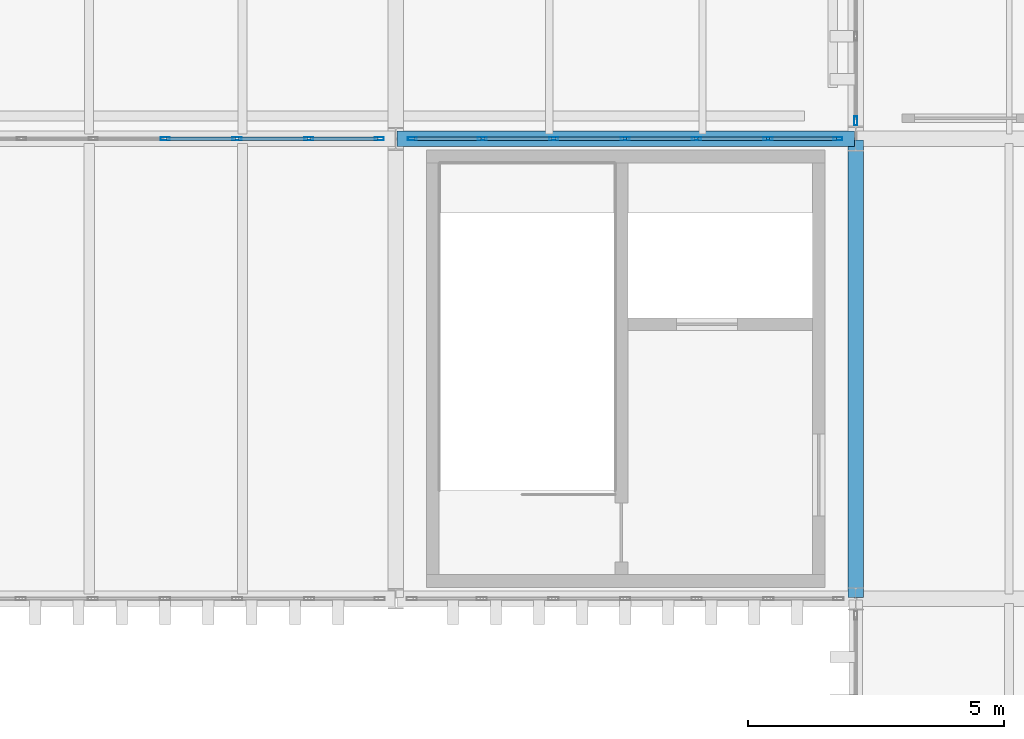
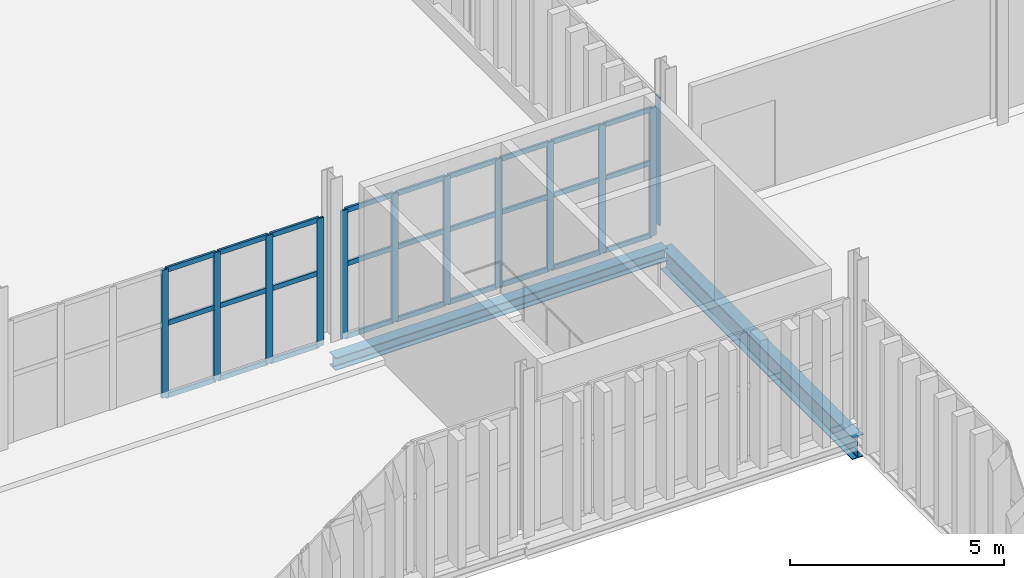
# One storey, part 44 of 196: 39 members, 2 beams, 3 elements without a shape of their own.
"""IFC4 building model written with IfcOpenShell, lengths in metres."""

from ifc_helpers import new_model, si_unit, direction, frame, origin, origin_2d, place, context, subcontext, project, spatial, hollow_rectangle, i_section, extrude, material, layer, layer_set, material_profile, profile_set, type_object, element, aggregate, save


model = new_model("IFC4")

# Units and contexts
model_context = context("Model", 3, precision=1e-05, world=origin(), true_north=direction((0.0, 1.0)))
body_context = subcontext(model_context, "Body", "Model", "MODEL_VIEW")
ifc_project = project(units=[si_unit("LENGTHUNIT", "METRE"), si_unit("AREAUNIT", "SQUARE_METRE"), si_unit("VOLUMEUNIT", "CUBIC_METRE"), si_unit("PLANEANGLEUNIT", "RADIAN"), si_unit("MASSUNIT", "GRAM", prefix="KILO")], contexts=[model_context])

# Site, building, storey
site_placement = place(None, origin())
site = spatial("IfcSite", under=ifc_project, at=site_placement, CompositionType="ELEMENT")
building_placement = place(site_placement, origin())
building = spatial("IfcBuilding", under=site, at=building_placement, Name="Barlavento Convention Centre", CompositionType="ELEMENT")
storey_placement = place(building_placement, frame((0.0, 0.0, 18.0)))
storey = spatial("IfcBuildingStorey", under=building, at=storey_placement, Name="L03", CompositionType="ELEMENT", Elevation=18.0)

# Curtain wall, members
ifc_material_1 = material(Name="Powder-coated aluminium and Low-E glass", Category="aluminium")
ifc_layer = layer(ifc_material_1, 0.179931640625)
ifc_layer_set = layer_set([ifc_layer], Name="ARC-CW-CONF-L03")
curtain_wall_type = type_object("IfcCurtainWallType", Name="ARC-CW-CONF-L03", PredefinedType="NOTDEFINED", material=ifc_layer_set)
curtain_wall_1_placement = place(storey_placement, origin())
curtain_wall_1 = element("IfcCurtainWall", 1, at=curtain_wall_1_placement, inside=storey, type_object=curtain_wall_type, Name="L03 unitised curtain wall CW08", PredefinedType="NOTDEFINED")
ifc_material_2 = material(Name="Powder-coated aluminium", Category="aluminium")
ifc_material_profile_1 = material_profile(ifc_material_2, hollow_rectangle(XDim=0.06005859375, YDim=0.179931640625, WallThickness=0.0048828125, at=origin_2d()), Name="AL-MULL 60x180x5")
ifc_profile_set_1 = profile_set([ifc_material_profile_1], Name="Powder-coated aluminium")
member_type_1 = type_object("IfcMemberType", Name="ARC-CWM-60X180", PredefinedType="MULLION", material=ifc_profile_set_1)
member_1_placement = place(storey_placement, frame((112.487548828125, 54.0, 0.0), z_axis=(0.0, 0.0, 1.0), x_axis=(0.0, 1.0, 0.0)))
member_1 = element("IfcMember", 2, at=member_1_placement, type_object=member_type_1, Name="CW08 mullion 4", PredefinedType="MULLION", context=body_context, shape_type="SweptSolid", body=[
    extrude(hollow_rectangle(XDim=0.06005859375, YDim=0.179931640625, WallThickness=0.0048828125, at=origin_2d()), origin(), (0.0, 0.0, 1.0), 3.64990234375),
])
member_2_placement = place(storey_placement, frame((113.893310546875, 54.0, 0.0), z_axis=(0.0, 0.0, 1.0), x_axis=(0.0, 1.0, 0.0)))
member_2 = element("IfcMember", 3, at=member_2_placement, type_object=member_type_1, Name="CW08 mullion 5", PredefinedType="MULLION", context=body_context, shape_type="SweptSolid", body=[
    extrude(hollow_rectangle(XDim=0.06005859375, YDim=0.179931640625, WallThickness=0.0048828125, at=origin_2d()), origin(), (0.0, 0.0, 1.0), 3.64990234375),
])
member_3_placement = place(storey_placement, frame((115.299072265625, 54.0, 0.0), z_axis=(0.0, 0.0, 1.0), x_axis=(0.0, 1.0, 0.0)))
member_3 = element("IfcMember", 4, at=member_3_placement, type_object=member_type_1, Name="CW08 mullion 6", PredefinedType="MULLION", context=body_context, shape_type="SweptSolid", body=[
    extrude(hollow_rectangle(XDim=0.06005859375, YDim=0.179931640625, WallThickness=0.0048828125, at=origin_2d()), origin(), (0.0, 0.0, 1.0), 3.64990234375),
])
member_4_placement = place(storey_placement, frame((116.675048828125, 54.0, 0.0), z_axis=(0.0, 0.0, 1.0), x_axis=(0.0, 1.0, 0.0)))
member_4 = element("IfcMember", 5, at=member_4_placement, type_object=member_type_1, Name="CW08 mullion 7", PredefinedType="MULLION", context=body_context, shape_type="SweptSolid", body=[
    extrude(hollow_rectangle(XDim=0.06005859375, YDim=0.179931640625, WallThickness=0.0048828125, at=origin_2d()), origin(), (0.0, 0.0, 1.0), 3.64990234375),
])

curtain_wall_2_placement = place(storey_placement, origin())
curtain_wall_2 = element("IfcCurtainWall", 6, at=curtain_wall_2_placement, inside=storey, type_object=curtain_wall_type, Name="L03 unitised curtain wall CW08", PredefinedType="NOTDEFINED")
member_5_placement = place(storey_placement, frame((117.324951171875, 54.0, 0.0), z_axis=(0.0, 0.0, 1.0), x_axis=(0.0, 1.0, 0.0)))
member_5 = element("IfcMember", 7, at=member_5_placement, type_object=member_type_1, Name="CW08 mullion 1", PredefinedType="MULLION", context=body_context, shape_type="SweptSolid", body=[
    extrude(hollow_rectangle(XDim=0.06005859375, YDim=0.179931640625, WallThickness=0.0048828125, at=origin_2d()), origin(), (0.0, 0.0, 1.0), 3.64990234375),
])
member_6_placement = place(storey_placement, frame((118.6923828125, 54.0, 0.0), z_axis=(0.0, 0.0, 1.0), x_axis=(0.0, 1.0, 0.0)))
member_6 = element("IfcMember", 8, at=member_6_placement, type_object=member_type_1, Name="CW08 mullion 2", PredefinedType="MULLION", context=body_context, shape_type="SweptSolid", body=[
    extrude(hollow_rectangle(XDim=0.06005859375, YDim=0.179931640625, WallThickness=0.0048828125, at=origin_2d()), origin(), (0.0, 0.0, 1.0), 3.64990234375),
])
member_7_placement = place(storey_placement, frame((120.090087890625, 54.0, 0.0), z_axis=(0.0, 0.0, 1.0), x_axis=(0.0, 1.0, 0.0)))
member_7 = element("IfcMember", 9, at=member_7_placement, type_object=member_type_1, Name="CW08 mullion 3", PredefinedType="MULLION", context=body_context, shape_type="SweptSolid", body=[
    extrude(hollow_rectangle(XDim=0.06005859375, YDim=0.179931640625, WallThickness=0.0048828125, at=origin_2d()), origin(), (0.0, 0.0, 1.0), 3.64990234375),
])
member_8_placement = place(storey_placement, frame((121.487548828125, 54.0, 0.0), z_axis=(0.0, 0.0, 1.0), x_axis=(0.0, 1.0, 0.0)))
member_8 = element("IfcMember", 10, at=member_8_placement, type_object=member_type_1, Name="CW08 mullion 4", PredefinedType="MULLION", context=body_context, shape_type="SweptSolid", body=[
    extrude(hollow_rectangle(XDim=0.06005859375, YDim=0.179931640625, WallThickness=0.0048828125, at=origin_2d()), origin(), (0.0, 0.0, 1.0), 3.64990234375),
])
member_9_placement = place(storey_placement, frame((122.885009765625, 54.0, 0.0), z_axis=(0.0, 0.0, 1.0), x_axis=(0.0, 1.0, 0.0)))
member_9 = element("IfcMember", 11, at=member_9_placement, type_object=member_type_1, Name="CW08 mullion 5", PredefinedType="MULLION", context=body_context, shape_type="SweptSolid", body=[
    extrude(hollow_rectangle(XDim=0.06005859375, YDim=0.179931640625, WallThickness=0.0048828125, at=origin_2d()), origin(), (0.0, 0.0, 1.0), 3.64990234375),
])
member_10_placement = place(storey_placement, frame((124.282470703125, 54.0, 0.0), z_axis=(0.0, 0.0, 1.0), x_axis=(0.0, 1.0, 0.0)))
member_10 = element("IfcMember", 12, at=member_10_placement, type_object=member_type_1, Name="CW08 mullion 6", PredefinedType="MULLION", context=body_context, shape_type="SweptSolid", body=[
    extrude(hollow_rectangle(XDim=0.06005859375, YDim=0.179931640625, WallThickness=0.0048828125, at=origin_2d()), origin(), (0.0, 0.0, 1.0), 3.64990234375),
])
member_11_placement = place(storey_placement, frame((125.64990234375, 54.0, 0.0), z_axis=(0.0, 0.0, 1.0), x_axis=(0.0, 1.0, 0.0)))
member_11 = element("IfcMember", 13, at=member_11_placement, type_object=member_type_1, Name="CW08 mullion 7", PredefinedType="MULLION", context=body_context, shape_type="SweptSolid", body=[
    extrude(hollow_rectangle(XDim=0.06005859375, YDim=0.179931640625, WallThickness=0.0048828125, at=origin_2d()), origin(), (0.0, 0.0, 1.0), 3.64990234375),
])

# Curtain wall, member
curtain_wall_3_placement = place(storey_placement, origin())
curtain_wall_3 = element("IfcCurtainWall", 14, at=curtain_wall_3_placement, inside=storey, type_object=curtain_wall_type, Name="L03 unitised curtain wall CW08", PredefinedType="NOTDEFINED")
member_12_placement = place(storey_placement, frame((126.0, 54.35009765625, 0.0), z_axis=(0.0, 0.0, 1.0), x_axis=(-1.0, 0.0, 0.0)))
member_12 = element("IfcMember", 15, at=member_12_placement, type_object=member_type_1, Name="CW08 mullion 1", PredefinedType="MULLION", context=body_context, shape_type="SweptSolid", body=[
    extrude(hollow_rectangle(XDim=0.06005859375, YDim=0.179931640625, WallThickness=0.0048828125, at=origin_2d()), origin(), (0.0, 0.0, 1.0), 3.64990234375),
])
aggregate(curtain_wall_3, [member_12])

# Member
ifc_material_profile_2 = material_profile(ifc_material_2, hollow_rectangle(XDim=0.06005859375, YDim=0.139892578125, WallThickness=0.00390625, at=origin_2d()), Name="AL-TRAN 60x140x4")
ifc_profile_set_2 = profile_set([ifc_material_profile_2], Name="Powder-coated aluminium")
member_type_2 = type_object("IfcMemberType", Name="ARC-CWT-60X140", PredefinedType="USERDEFINED", material=ifc_profile_set_2)
member_13_placement = place(storey_placement, frame((112.517578125, 54.0, 0.030029296875), z_axis=(1.0, 0.0, 0.0), x_axis=(0.0, 1.0, 0.0)))
member_13 = element("IfcMember", 16, at=member_13_placement, type_object=member_type_2, Name="CW08 transom 4.1", ObjectType="TRANSOM", PredefinedType="USERDEFINED", context=body_context, shape_type="SweptSolid", body=[
    extrude(hollow_rectangle(XDim=0.06005859375, YDim=0.139892578125, WallThickness=0.00390625, at=origin_2d()), origin(), (0.0, 0.0, 1.0), 1.345703125),
])

member_14_placement = place(storey_placement, frame((112.517578125, 54.0, 2.10009765625), z_axis=(1.0, 0.0, 0.0), x_axis=(0.0, 1.0, 0.0)))
member_14 = element("IfcMember", 17, at=member_14_placement, type_object=member_type_2, Name="CW08 transom 4.2", ObjectType="TRANSOM", PredefinedType="USERDEFINED", context=body_context, shape_type="SweptSolid", body=[
    extrude(hollow_rectangle(XDim=0.06005859375, YDim=0.139892578125, WallThickness=0.00390625, at=origin_2d()), origin(), (0.0, 0.0, 1.0), 1.345703125),
])

member_15_placement = place(storey_placement, frame((112.517578125, 54.0, 3.6201171875), z_axis=(1.0, 0.0, 0.0), x_axis=(0.0, 1.0, 0.0)))
member_15 = element("IfcMember", 18, at=member_15_placement, type_object=member_type_2, Name="CW08 transom 4.3", ObjectType="TRANSOM", PredefinedType="USERDEFINED", context=body_context, shape_type="SweptSolid", body=[
    extrude(hollow_rectangle(XDim=0.06005859375, YDim=0.139892578125, WallThickness=0.00390625, at=origin_2d()), origin(), (0.0, 0.0, 1.0), 1.345703125),
])

member_16_placement = place(storey_placement, frame((113.92333984375, 54.0, 0.030029296875), z_axis=(1.0, 0.0, 0.0), x_axis=(0.0, 1.0, 0.0)))
member_16 = element("IfcMember", 19, at=member_16_placement, type_object=member_type_2, Name="CW08 transom 5.1", ObjectType="TRANSOM", PredefinedType="USERDEFINED", context=body_context, shape_type="SweptSolid", body=[
    extrude(hollow_rectangle(XDim=0.06005859375, YDim=0.139892578125, WallThickness=0.00390625, at=origin_2d()), origin(), (0.0, 0.0, 1.0), 1.345947265625),
])

member_17_placement = place(storey_placement, frame((113.92333984375, 54.0, 2.10009765625), z_axis=(1.0, 0.0, 0.0), x_axis=(0.0, 1.0, 0.0)))
member_17 = element("IfcMember", 20, at=member_17_placement, type_object=member_type_2, Name="CW08 transom 5.2", ObjectType="TRANSOM", PredefinedType="USERDEFINED", context=body_context, shape_type="SweptSolid", body=[
    extrude(hollow_rectangle(XDim=0.06005859375, YDim=0.139892578125, WallThickness=0.00390625, at=origin_2d()), origin(), (0.0, 0.0, 1.0), 1.345947265625),
])

member_18_placement = place(storey_placement, frame((113.92333984375, 54.0, 3.6201171875), z_axis=(1.0, 0.0, 0.0), x_axis=(0.0, 1.0, 0.0)))
member_18 = element("IfcMember", 21, at=member_18_placement, type_object=member_type_2, Name="CW08 transom 5.3", ObjectType="TRANSOM", PredefinedType="USERDEFINED", context=body_context, shape_type="SweptSolid", body=[
    extrude(hollow_rectangle(XDim=0.06005859375, YDim=0.139892578125, WallThickness=0.00390625, at=origin_2d()), origin(), (0.0, 0.0, 1.0), 1.345947265625),
])

member_19_placement = place(storey_placement, frame((115.3291015625, 54.0, 0.030029296875), z_axis=(1.0, 0.0, 0.0), x_axis=(0.0, 1.0, 0.0)))
member_19 = element("IfcMember", 22, at=member_19_placement, type_object=member_type_2, Name="CW08 transom 6.1", ObjectType="TRANSOM", PredefinedType="USERDEFINED", context=body_context, shape_type="SweptSolid", body=[
    extrude(hollow_rectangle(XDim=0.06005859375, YDim=0.139892578125, WallThickness=0.00390625, at=origin_2d()), origin(), (0.0, 0.0, 1.0), 1.31591796875),
])

member_20_placement = place(storey_placement, frame((115.3291015625, 54.0, 2.10009765625), z_axis=(1.0, 0.0, 0.0), x_axis=(0.0, 1.0, 0.0)))
member_20 = element("IfcMember", 23, at=member_20_placement, type_object=member_type_2, Name="CW08 transom 6.2", ObjectType="TRANSOM", PredefinedType="USERDEFINED", context=body_context, shape_type="SweptSolid", body=[
    extrude(hollow_rectangle(XDim=0.06005859375, YDim=0.139892578125, WallThickness=0.00390625, at=origin_2d()), origin(), (0.0, 0.0, 1.0), 1.31591796875),
])

member_21_placement = place(storey_placement, frame((115.3291015625, 54.0, 3.6201171875), z_axis=(1.0, 0.0, 0.0), x_axis=(0.0, 1.0, 0.0)))
member_21 = element("IfcMember", 24, at=member_21_placement, type_object=member_type_2, Name="CW08 transom 6.3", ObjectType="TRANSOM", PredefinedType="USERDEFINED", context=body_context, shape_type="SweptSolid", body=[
    extrude(hollow_rectangle(XDim=0.06005859375, YDim=0.139892578125, WallThickness=0.00390625, at=origin_2d()), origin(), (0.0, 0.0, 1.0), 1.31591796875),
])

aggregate(curtain_wall_1, [member_1, member_2, member_3, member_4, member_13, member_14, member_15, member_16, member_17, member_18, member_19, member_20, member_21])

member_22_placement = place(storey_placement, frame((117.35498046875, 54.0, 0.030029296875), z_axis=(1.0, 0.0, 0.0), x_axis=(0.0, 1.0, 0.0)))
member_22 = element("IfcMember", 25, at=member_22_placement, type_object=member_type_2, Name="CW08 transom 1.1", ObjectType="TRANSOM", PredefinedType="USERDEFINED", context=body_context, shape_type="SweptSolid", body=[
    extrude(hollow_rectangle(XDim=0.06005859375, YDim=0.139892578125, WallThickness=0.00390625, at=origin_2d()), origin(), (0.0, 0.0, 1.0), 1.3076171875),
])

member_23_placement = place(storey_placement, frame((117.35498046875, 54.0, 2.10009765625), z_axis=(1.0, 0.0, 0.0), x_axis=(0.0, 1.0, 0.0)))
member_23 = element("IfcMember", 26, at=member_23_placement, type_object=member_type_2, Name="CW08 transom 1.2", ObjectType="TRANSOM", PredefinedType="USERDEFINED", context=body_context, shape_type="SweptSolid", body=[
    extrude(hollow_rectangle(XDim=0.06005859375, YDim=0.139892578125, WallThickness=0.00390625, at=origin_2d()), origin(), (0.0, 0.0, 1.0), 1.3076171875),
])

member_24_placement = place(storey_placement, frame((117.35498046875, 54.0, 3.6201171875), z_axis=(1.0, 0.0, 0.0), x_axis=(0.0, 1.0, 0.0)))
member_24 = element("IfcMember", 27, at=member_24_placement, type_object=member_type_2, Name="CW08 transom 1.3", ObjectType="TRANSOM", PredefinedType="USERDEFINED", context=body_context, shape_type="SweptSolid", body=[
    extrude(hollow_rectangle(XDim=0.06005859375, YDim=0.139892578125, WallThickness=0.00390625, at=origin_2d()), origin(), (0.0, 0.0, 1.0), 1.3076171875),
])

member_25_placement = place(storey_placement, frame((118.722412109375, 54.0, 0.030029296875), z_axis=(1.0, 0.0, 0.0), x_axis=(0.0, 1.0, 0.0)))
member_25 = element("IfcMember", 28, at=member_25_placement, type_object=member_type_2, Name="CW08 transom 2.1", ObjectType="TRANSOM", PredefinedType="USERDEFINED", context=body_context, shape_type="SweptSolid", body=[
    extrude(hollow_rectangle(XDim=0.06005859375, YDim=0.139892578125, WallThickness=0.00390625, at=origin_2d()), origin(), (0.0, 0.0, 1.0), 1.337646484375),
])

member_26_placement = place(storey_placement, frame((118.722412109375, 54.0, 2.10009765625), z_axis=(1.0, 0.0, 0.0), x_axis=(0.0, 1.0, 0.0)))
member_26 = element("IfcMember", 29, at=member_26_placement, type_object=member_type_2, Name="CW08 transom 2.2", ObjectType="TRANSOM", PredefinedType="USERDEFINED", context=body_context, shape_type="SweptSolid", body=[
    extrude(hollow_rectangle(XDim=0.06005859375, YDim=0.139892578125, WallThickness=0.00390625, at=origin_2d()), origin(), (0.0, 0.0, 1.0), 1.337646484375),
])

member_27_placement = place(storey_placement, frame((118.722412109375, 54.0, 3.6201171875), z_axis=(1.0, 0.0, 0.0), x_axis=(0.0, 1.0, 0.0)))
member_27 = element("IfcMember", 30, at=member_27_placement, type_object=member_type_2, Name="CW08 transom 2.3", ObjectType="TRANSOM", PredefinedType="USERDEFINED", context=body_context, shape_type="SweptSolid", body=[
    extrude(hollow_rectangle(XDim=0.06005859375, YDim=0.139892578125, WallThickness=0.00390625, at=origin_2d()), origin(), (0.0, 0.0, 1.0), 1.337646484375),
])

member_28_placement = place(storey_placement, frame((120.1201171875, 54.0, 0.030029296875), z_axis=(1.0, 0.0, 0.0), x_axis=(0.0, 1.0, 0.0)))
member_28 = element("IfcMember", 31, at=member_28_placement, type_object=member_type_2, Name="CW08 transom 3.1", ObjectType="TRANSOM", PredefinedType="USERDEFINED", context=body_context, shape_type="SweptSolid", body=[
    extrude(hollow_rectangle(XDim=0.06005859375, YDim=0.139892578125, WallThickness=0.00390625, at=origin_2d()), origin(), (0.0, 0.0, 1.0), 1.33740234375),
])

member_29_placement = place(storey_placement, frame((120.1201171875, 54.0, 2.10009765625), z_axis=(1.0, 0.0, 0.0), x_axis=(0.0, 1.0, 0.0)))
member_29 = element("IfcMember", 32, at=member_29_placement, type_object=member_type_2, Name="CW08 transom 3.2", ObjectType="TRANSOM", PredefinedType="USERDEFINED", context=body_context, shape_type="SweptSolid", body=[
    extrude(hollow_rectangle(XDim=0.06005859375, YDim=0.139892578125, WallThickness=0.00390625, at=origin_2d()), origin(), (0.0, 0.0, 1.0), 1.33740234375),
])

member_30_placement = place(storey_placement, frame((120.1201171875, 54.0, 3.6201171875), z_axis=(1.0, 0.0, 0.0), x_axis=(0.0, 1.0, 0.0)))
member_30 = element("IfcMember", 33, at=member_30_placement, type_object=member_type_2, Name="CW08 transom 3.3", ObjectType="TRANSOM", PredefinedType="USERDEFINED", context=body_context, shape_type="SweptSolid", body=[
    extrude(hollow_rectangle(XDim=0.06005859375, YDim=0.139892578125, WallThickness=0.00390625, at=origin_2d()), origin(), (0.0, 0.0, 1.0), 1.33740234375),
])

member_31_placement = place(storey_placement, frame((121.517578125, 54.0, 0.030029296875), z_axis=(1.0, 0.0, 0.0), x_axis=(0.0, 1.0, 0.0)))
member_31 = element("IfcMember", 34, at=member_31_placement, type_object=member_type_2, Name="CW08 transom 4.1", ObjectType="TRANSOM", PredefinedType="USERDEFINED", context=body_context, shape_type="SweptSolid", body=[
    extrude(hollow_rectangle(XDim=0.06005859375, YDim=0.139892578125, WallThickness=0.00390625, at=origin_2d()), origin(), (0.0, 0.0, 1.0), 1.33740234375),
])

member_32_placement = place(storey_placement, frame((121.517578125, 54.0, 2.10009765625), z_axis=(1.0, 0.0, 0.0), x_axis=(0.0, 1.0, 0.0)))
member_32 = element("IfcMember", 35, at=member_32_placement, type_object=member_type_2, Name="CW08 transom 4.2", ObjectType="TRANSOM", PredefinedType="USERDEFINED", context=body_context, shape_type="SweptSolid", body=[
    extrude(hollow_rectangle(XDim=0.06005859375, YDim=0.139892578125, WallThickness=0.00390625, at=origin_2d()), origin(), (0.0, 0.0, 1.0), 1.33740234375),
])

member_33_placement = place(storey_placement, frame((121.517578125, 54.0, 3.6201171875), z_axis=(1.0, 0.0, 0.0), x_axis=(0.0, 1.0, 0.0)))
member_33 = element("IfcMember", 36, at=member_33_placement, type_object=member_type_2, Name="CW08 transom 4.3", ObjectType="TRANSOM", PredefinedType="USERDEFINED", context=body_context, shape_type="SweptSolid", body=[
    extrude(hollow_rectangle(XDim=0.06005859375, YDim=0.139892578125, WallThickness=0.00390625, at=origin_2d()), origin(), (0.0, 0.0, 1.0), 1.33740234375),
])

member_34_placement = place(storey_placement, frame((122.9150390625, 54.0, 0.030029296875), z_axis=(1.0, 0.0, 0.0), x_axis=(0.0, 1.0, 0.0)))
member_34 = element("IfcMember", 37, at=member_34_placement, type_object=member_type_2, Name="CW08 transom 5.1", ObjectType="TRANSOM", PredefinedType="USERDEFINED", context=body_context, shape_type="SweptSolid", body=[
    extrude(hollow_rectangle(XDim=0.06005859375, YDim=0.139892578125, WallThickness=0.00390625, at=origin_2d()), origin(), (0.0, 0.0, 1.0), 1.33740234375),
])

member_35_placement = place(storey_placement, frame((122.9150390625, 54.0, 2.10009765625), z_axis=(1.0, 0.0, 0.0), x_axis=(0.0, 1.0, 0.0)))
member_35 = element("IfcMember", 38, at=member_35_placement, type_object=member_type_2, Name="CW08 transom 5.2", ObjectType="TRANSOM", PredefinedType="USERDEFINED", context=body_context, shape_type="SweptSolid", body=[
    extrude(hollow_rectangle(XDim=0.06005859375, YDim=0.139892578125, WallThickness=0.00390625, at=origin_2d()), origin(), (0.0, 0.0, 1.0), 1.33740234375),
])

member_36_placement = place(storey_placement, frame((122.9150390625, 54.0, 3.6201171875), z_axis=(1.0, 0.0, 0.0), x_axis=(0.0, 1.0, 0.0)))
member_36 = element("IfcMember", 39, at=member_36_placement, type_object=member_type_2, Name="CW08 transom 5.3", ObjectType="TRANSOM", PredefinedType="USERDEFINED", context=body_context, shape_type="SweptSolid", body=[
    extrude(hollow_rectangle(XDim=0.06005859375, YDim=0.139892578125, WallThickness=0.00390625, at=origin_2d()), origin(), (0.0, 0.0, 1.0), 1.33740234375),
])

member_37_placement = place(storey_placement, frame((124.3125, 54.0, 0.030029296875), z_axis=(1.0, 0.0, 0.0), x_axis=(0.0, 1.0, 0.0)))
member_37 = element("IfcMember", 40, at=member_37_placement, type_object=member_type_2, Name="CW08 transom 6.1", ObjectType="TRANSOM", PredefinedType="USERDEFINED", context=body_context, shape_type="SweptSolid", body=[
    extrude(hollow_rectangle(XDim=0.06005859375, YDim=0.139892578125, WallThickness=0.00390625, at=origin_2d()), origin(), (0.0, 0.0, 1.0), 1.3076171875),
])

member_38_placement = place(storey_placement, frame((124.3125, 54.0, 2.10009765625), z_axis=(1.0, 0.0, 0.0), x_axis=(0.0, 1.0, 0.0)))
member_38 = element("IfcMember", 41, at=member_38_placement, type_object=member_type_2, Name="CW08 transom 6.2", ObjectType="TRANSOM", PredefinedType="USERDEFINED", context=body_context, shape_type="SweptSolid", body=[
    extrude(hollow_rectangle(XDim=0.06005859375, YDim=0.139892578125, WallThickness=0.00390625, at=origin_2d()), origin(), (0.0, 0.0, 1.0), 1.3076171875),
])

member_39_placement = place(storey_placement, frame((124.3125, 54.0, 3.6201171875), z_axis=(1.0, 0.0, 0.0), x_axis=(0.0, 1.0, 0.0)))
member_39 = element("IfcMember", 42, at=member_39_placement, type_object=member_type_2, Name="CW08 transom 6.3", ObjectType="TRANSOM", PredefinedType="USERDEFINED", context=body_context, shape_type="SweptSolid", body=[
    extrude(hollow_rectangle(XDim=0.06005859375, YDim=0.139892578125, WallThickness=0.00390625, at=origin_2d()), origin(), (0.0, 0.0, 1.0), 1.3076171875),
])

aggregate(curtain_wall_2, [member_5, member_6, member_7, member_8, member_9, member_10, member_11, member_22, member_23, member_24, member_25, member_26, member_27, member_28, member_29, member_30, member_31, member_32, member_33, member_34, member_35, member_36, member_37, member_38, member_39])

# Beams
ifc_material_3 = material(Name="Steel S355", Category="steel")
ifc_material_profile_3 = material_profile(ifc_material_3, i_section(OverallWidth=0.300048828125, OverallDepth=0.639892578125, WebThickness=0.013427734375, FlangeThickness=0.02587890625, FilletRadius=0.027099609375, at=origin_2d()), Name="HEA 650")
ifc_profile_set_3 = profile_set([ifc_material_profile_3], Name="Steel S355")
beam_type_1 = type_object("IfcBeamType", Name="STR-BM-PRI-HEA650", PredefinedType="BEAM", material=ifc_profile_set_3)
beam_1_placement = place(storey_placement, frame((126.0, 45.02001953125, -0.7099609375), z_axis=(0.0, 1.0, 0.0), x_axis=(-1.0, 0.0, 0.0)))
element("IfcBeam", 43, at=beam_1_placement, inside=storey, type_object=beam_type_1, Name="L03 grid girder BG17", PredefinedType="BEAM", context=body_context, shape_type="SweptSolid", body=[
    extrude(i_section(OverallWidth=0.300048828125, OverallDepth=0.639892578125, WebThickness=0.013427734375, FlangeThickness=0.02587890625, FilletRadius=0.027099609375, at=origin_2d()), origin(), (0.0, 0.0, 1.0), 8.9599609375),
])
ifc_material_profile_4 = material_profile(ifc_material_3, i_section(OverallWidth=0.300048828125, OverallDepth=0.360107421875, WebThickness=0.012451171875, FlangeThickness=0.0224609375, FilletRadius=0.027099609375, at=origin_2d()), Name="HEB 360")
ifc_profile_set_4 = profile_set([ifc_material_profile_4], Name="Steel S355")
beam_type_2 = type_object("IfcBeamType", Name="STR-BM-PRI-HEB360", PredefinedType="BEAM", material=ifc_profile_set_4)
beam_2_placement = place(storey_placement, frame((117.02001953125, 54.0, -0.570068359375), z_axis=(1.0, 0.0, 0.0), x_axis=(0.0, 1.0, 0.0)))
element("IfcBeam", 44, at=beam_2_placement, inside=storey, type_object=beam_type_2, Name="L03 primary girder BG12", PredefinedType="BEAM", context=body_context, shape_type="SweptSolid", body=[
    extrude(i_section(OverallWidth=0.300048828125, OverallDepth=0.360107421875, WebThickness=0.012451171875, FlangeThickness=0.0224609375, FilletRadius=0.027099609375, at=origin_2d()), origin(), (0.0, 0.0, 1.0), 8.9599609375),
])

save(model, "model.ifc")
